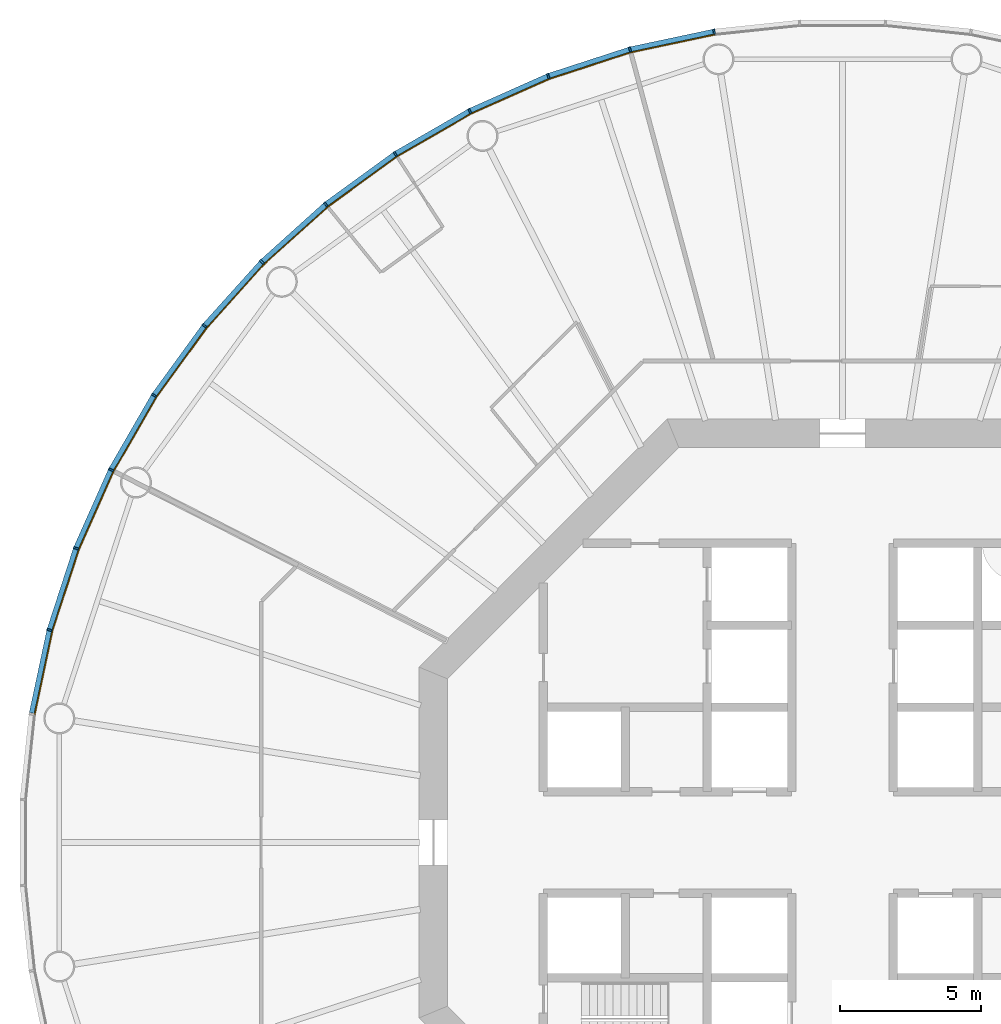
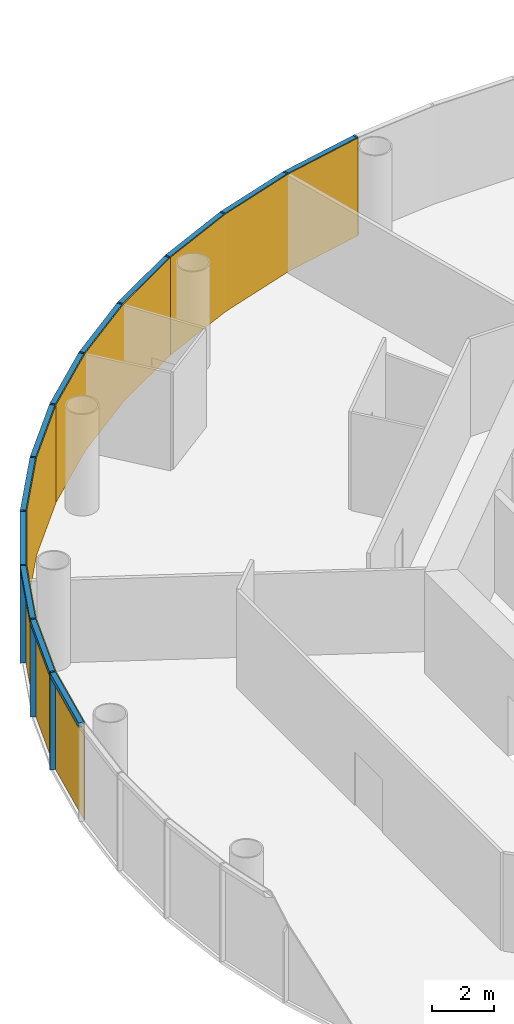
# One storey, part 9 of 12: 24 members, 4 curtain walls.
"""IFC4 building model written with IfcOpenShell, lengths in metres."""

from ifc_helpers import new_model, si_unit, direction, frame, origin, origin_2d, place, context, subcontext, project, spatial, polyline, rectangle, outline, extrude, material, layer, layer_set, material_profile, profile_set, type_object, element, aggregate, save


model = new_model("IFC4")

# Units and contexts
model_context = context("Model", 3, precision=1e-05, world=origin(), true_north=direction((0.0, 1.0)))
body_context = subcontext(model_context, "Body", "Model", "MODEL_VIEW")
ifc_project = project(units=[si_unit("LENGTHUNIT", "METRE"), si_unit("AREAUNIT", "SQUARE_METRE"), si_unit("VOLUMEUNIT", "CUBIC_METRE"), si_unit("PLANEANGLEUNIT", "RADIAN"), si_unit("MASSUNIT", "GRAM", prefix="KILO")], contexts=[model_context])

# Member
ifc_material_1 = material(Name="Anodised aluminium", Category="aluminium")
ifc_material_profile_1 = material_profile(ifc_material_1, rectangle(XDim=0.06494140625, YDim=0.18505859375, at=origin_2d()), Name="Mullion 65 x 185 mm anodised aluminium")
ifc_profile_set_1 = profile_set([ifc_material_profile_1], Name="Anodised aluminium")
member_type_1 = type_object("IfcMemberType", Name="Mullion 65 x 185 mm anodised aluminium", PredefinedType="MULLION", material=ifc_profile_set_1)
site_placement = place(None, origin())
building_placement = place(site_placement, origin())
storey_placement = place(building_placement, frame((0.0, 0.0, 192.0)))
member_1_placement = place(storey_placement, frame((85.448974609375, 108.734375, 0.0), z_axis=(0.0, 0.0, 1.0), x_axis=(-0.987688340595, -0.15643446504, 0.0)))
member_1 = element("IfcMember", 1, at=member_1_placement, type_object=member_type_1, Name="MULLION L44-15", PredefinedType="MULLION", context=body_context, shape_type="SweptSolid", body=[
    extrude(rectangle(XDim=0.06494140625, YDim=0.18505859375, at=origin_2d()), origin(), (0.0, 0.0, 1.0), 3.85009765625),
])

member_2_placement = place(storey_placement, frame((82.47021484375, 108.101318359375, 0.0), z_axis=(0.0, 0.0, 1.0), x_axis=(-0.965925826289, -0.258819045103, 0.0)))
member_2 = element("IfcMember", 2, at=member_2_placement, type_object=member_type_1, Name="MULLION L44-16", PredefinedType="MULLION", context=body_context, shape_type="SweptSolid", body=[
    extrude(rectangle(XDim=0.06494140625, YDim=0.18505859375, at=origin_2d()), origin(), (0.0, 0.0, 1.0), 3.85009765625),
])

member_3_placement = place(storey_placement, frame((79.57421875, 107.16015625, 0.0), z_axis=(0.0, 0.0, 1.0), x_axis=(-0.933580426497, -0.358367949545, 0.0)))
member_3 = element("IfcMember", 3, at=member_3_placement, type_object=member_type_1, Name="MULLION L44-17", PredefinedType="MULLION", context=body_context, shape_type="SweptSolid", body=[
    extrude(rectangle(XDim=0.06494140625, YDim=0.18505859375, at=origin_2d()), origin(), (0.0, 0.0, 1.0), 3.85009765625),
])

member_4_placement = place(storey_placement, frame((76.792236328125, 105.921630859375, 0.0), z_axis=(0.0, 0.0, 1.0), x_axis=(-0.891006524188, -0.45399049974, 0.0)))
member_4 = element("IfcMember", 4, at=member_4_placement, type_object=member_type_1, Name="MULLION L44-18", PredefinedType="MULLION", context=body_context, shape_type="SweptSolid", body=[
    extrude(rectangle(XDim=0.06494140625, YDim=0.18505859375, at=origin_2d()), origin(), (0.0, 0.0, 1.0), 3.85009765625),
])

member_5_placement = place(storey_placement, frame((74.155029296875, 104.39892578125, 0.0), z_axis=(0.0, 0.0, 1.0), x_axis=(-0.838670567945, -0.544639035015, 0.0)))
member_5 = element("IfcMember", 5, at=member_5_placement, type_object=member_type_1, Name="MULLION L44-19", PredefinedType="MULLION", context=body_context, shape_type="SweptSolid", body=[
    extrude(rectangle(XDim=0.06494140625, YDim=0.18505859375, at=origin_2d()), origin(), (0.0, 0.0, 1.0), 3.85009765625),
])

member_6_placement = place(storey_placement, frame((71.69140625, 102.609130859375, 0.0), z_axis=(0.0, 0.0, 1.0), x_axis=(-0.777145961457, -0.62932039105, 0.0)))
member_6 = element("IfcMember", 6, at=member_6_placement, type_object=member_type_1, Name="MULLION L44-20", PredefinedType="MULLION", context=body_context, shape_type="SweptSolid", body=[
    extrude(rectangle(XDim=0.06494140625, YDim=0.18505859375, at=origin_2d()), origin(), (0.0, 0.0, 1.0), 3.85009765625),
])

member_7_placement = place(storey_placement, frame((69.428466796875, 100.571533203125, 0.0), z_axis=(0.0, 0.0, 1.0), x_axis=(-0.707106781187, -0.707106781187, 0.0)))
member_7 = element("IfcMember", 7, at=member_7_placement, type_object=member_type_1, Name="MULLION L44-21", PredefinedType="MULLION", context=body_context, shape_type="SweptSolid", body=[
    extrude(rectangle(XDim=0.06494140625, YDim=0.18505859375, at=origin_2d()), origin(), (0.0, 0.0, 1.0), 3.85009765625),
])

member_8_placement = place(storey_placement, frame((67.390869140625, 98.30859375, 0.0), z_axis=(0.0, 0.0, 1.0), x_axis=(-0.62932039105, -0.777145961457, 0.0)))
member_8 = element("IfcMember", 8, at=member_8_placement, type_object=member_type_1, Name="MULLION L44-22", PredefinedType="MULLION", context=body_context, shape_type="SweptSolid", body=[
    extrude(rectangle(XDim=0.06494140625, YDim=0.18505859375, at=origin_2d()), origin(), (0.0, 0.0, 1.0), 3.85009765625),
])

member_9_placement = place(storey_placement, frame((65.60107421875, 95.844970703125, 0.0), z_axis=(0.0, 0.0, 1.0), x_axis=(-0.544639035015, -0.838670567945, 0.0)))
member_9 = element("IfcMember", 9, at=member_9_placement, type_object=member_type_1, Name="MULLION L44-23", PredefinedType="MULLION", context=body_context, shape_type="SweptSolid", body=[
    extrude(rectangle(XDim=0.06494140625, YDim=0.18505859375, at=origin_2d()), origin(), (0.0, 0.0, 1.0), 3.85009765625),
])

member_10_placement = place(storey_placement, frame((64.078369140625, 93.207763671875, 0.0), z_axis=(0.0, 0.0, 1.0), x_axis=(-0.45399049974, -0.891006524188, 0.0)))
member_10 = element("IfcMember", 10, at=member_10_placement, type_object=member_type_1, Name="MULLION L44-24", PredefinedType="MULLION", context=body_context, shape_type="SweptSolid", body=[
    extrude(rectangle(XDim=0.06494140625, YDim=0.18505859375, at=origin_2d()), origin(), (0.0, 0.0, 1.0), 3.85009765625),
])

member_11_placement = place(storey_placement, frame((62.83984375, 90.42578125, 0.0), z_axis=(0.0, 0.0, 1.0), x_axis=(-0.358367949545, -0.933580426497, 0.0)))
member_11 = element("IfcMember", 11, at=member_11_placement, type_object=member_type_1, Name="MULLION L44-25", PredefinedType="MULLION", context=body_context, shape_type="SweptSolid", body=[
    extrude(rectangle(XDim=0.06494140625, YDim=0.18505859375, at=origin_2d()), origin(), (0.0, 0.0, 1.0), 3.85009765625),
])

member_12_placement = place(storey_placement, frame((61.898681640625, 87.52978515625, 0.0), z_axis=(0.0, 0.0, 1.0), x_axis=(-0.258819045103, -0.965925826289, 0.0)))
member_12 = element("IfcMember", 12, at=member_12_placement, type_object=member_type_1, Name="MULLION L44-26", PredefinedType="MULLION", context=body_context, shape_type="SweptSolid", body=[
    extrude(rectangle(XDim=0.06494140625, YDim=0.18505859375, at=origin_2d()), origin(), (0.0, 0.0, 1.0), 3.85009765625),
])

ifc_material_2 = material(Name="Anodised aluminium", Category="aluminium")
ifc_material_profile_2 = material_profile(ifc_material_2, rectangle(XDim=0.18505859375, YDim=0.175048828125, at=origin_2d()), Name="Transom 175 x 185 mm anodised aluminium")
ifc_profile_set_2 = profile_set([ifc_material_profile_2], Name="Anodised aluminium")
member_type_2 = type_object("IfcMemberType", Name="Transom 175 x 185 mm anodised aluminium", PredefinedType="USERDEFINED", material=ifc_profile_set_2)
member_13_placement = place(storey_placement, frame((85.412353515625, 108.7265625, 3.762451171875), z_axis=(-0.97815822425, -0.207861704825, 0.0), x_axis=(0.207861704825, -0.97815822425, 0.0)))
member_13 = element("IfcMember", 13, at=member_13_placement, type_object=member_type_2, Name="TRANSOM L44-15", ObjectType="TRANSOM", PredefinedType="USERDEFINED", context=body_context, shape_type="SweptSolid", body=[
    extrude(rectangle(XDim=0.18505859375, YDim=0.175048828125, at=origin_2d()), origin(), (0.0, 0.0, 1.0), 2.970458984375),
])

member_14_placement = place(storey_placement, frame((82.434814453125, 108.08984375, 3.762451171875), z_axis=(-0.951055809184, -0.30901917063, 0.0), x_axis=(0.30901917063, -0.951055809184, 0.0)))
member_14 = element("IfcMember", 14, at=member_14_placement, type_object=member_type_2, Name="TRANSOM L44-16", ObjectType="TRANSOM", PredefinedType="USERDEFINED", context=body_context, shape_type="SweptSolid", body=[
    extrude(rectangle(XDim=0.18505859375, YDim=0.175048828125, at=origin_2d()), origin(), (0.0, 0.0, 1.0), 2.970703125),
])

member_15_placement = place(storey_placement, frame((79.5400390625, 107.14501953125, 3.762451171875), z_axis=(-0.913567348806, -0.406687471156, 0.0), x_axis=(0.406687471156, -0.913567348806, 0.0)))
member_15 = element("IfcMember", 15, at=member_15_placement, type_object=member_type_2, Name="TRANSOM L44-17", ObjectType="TRANSOM", PredefinedType="USERDEFINED", context=body_context, shape_type="SweptSolid", body=[
    extrude(rectangle(XDim=0.18505859375, YDim=0.175048828125, at=origin_2d()), origin(), (0.0, 0.0, 1.0), 2.970458984375),
])

member_16_placement = place(storey_placement, frame((76.759765625, 105.903076171875, 3.762451171875), z_axis=(-0.866009025146, -0.500028367561, 0.0), x_axis=(0.500028367561, -0.866009025146, 0.0)))
member_16 = element("IfcMember", 16, at=member_16_placement, type_object=member_type_2, Name="TRANSOM L44-18", ObjectType="TRANSOM", PredefinedType="USERDEFINED", context=body_context, shape_type="SweptSolid", body=[
    extrude(rectangle(XDim=0.18505859375, YDim=0.175048828125, at=origin_2d()), origin(), (0.0, 0.0, 1.0), 2.970458984375),
])

member_17_placement = place(storey_placement, frame((74.124755859375, 104.377197265625, 3.762451171875), z_axis=(-0.808991906087, -0.587819781808, 0.0), x_axis=(0.587819781808, -0.808991906087, 0.0)))
member_17 = element("IfcMember", 17, at=member_17_placement, type_object=member_type_2, Name="TRANSOM L44-19", ObjectType="TRANSOM", PredefinedType="USERDEFINED", context=body_context, shape_type="SweptSolid", body=[
    extrude(rectangle(XDim=0.18505859375, YDim=0.175048828125, at=origin_2d()), origin(), (0.0, 0.0, 1.0), 2.970458984375),
])

member_18_placement = place(storey_placement, frame((71.66357421875, 102.584228515625, 3.762451171875), z_axis=(-0.743163354343, -0.669110027395, 0.0), x_axis=(0.669110027395, -0.743163354343, 0.0)))
member_18 = element("IfcMember", 18, at=member_18_placement, type_object=member_type_2, Name="TRANSOM L44-20", ObjectType="TRANSOM", PredefinedType="USERDEFINED", context=body_context, shape_type="SweptSolid", body=[
    extrude(rectangle(XDim=0.18505859375, YDim=0.175048828125, at=origin_2d()), origin(), (0.0, 0.0, 1.0), 2.970458984375),
])

member_19_placement = place(storey_placement, frame((69.4033203125, 100.5439453125, 3.762451171875), z_axis=(-0.669110027395, -0.743163354343, 0.0), x_axis=(0.743163354343, -0.669110027395, 0.0)))
member_19 = element("IfcMember", 19, at=member_19_placement, type_object=member_type_2, Name="TRANSOM L44-21", ObjectType="TRANSOM", PredefinedType="USERDEFINED", context=body_context, shape_type="SweptSolid", body=[
    extrude(rectangle(XDim=0.18505859375, YDim=0.175048828125, at=origin_2d()), origin(), (0.0, 0.0, 1.0), 2.970458984375),
])

member_20_placement = place(storey_placement, frame((67.368896484375, 98.2783203125, 3.762451171875), z_axis=(-0.587819781808, -0.808991906087, 0.0), x_axis=(0.808991906087, -0.587819781808, 0.0)))
member_20 = element("IfcMember", 20, at=member_20_placement, type_object=member_type_2, Name="TRANSOM L44-22", ObjectType="TRANSOM", PredefinedType="USERDEFINED", context=body_context, shape_type="SweptSolid", body=[
    extrude(rectangle(XDim=0.18505859375, YDim=0.175048828125, at=origin_2d()), origin(), (0.0, 0.0, 1.0), 2.970458984375),
])

member_21_placement = place(storey_placement, frame((65.582275390625, 95.812744140625, 3.762451171875), z_axis=(-0.500028367561, -0.866009025146, 0.0), x_axis=(0.866009025146, -0.500028367561, 0.0)))
member_21 = element("IfcMember", 21, at=member_21_placement, type_object=member_type_2, Name="TRANSOM L44-23", ObjectType="TRANSOM", PredefinedType="USERDEFINED", context=body_context, shape_type="SweptSolid", body=[
    extrude(rectangle(XDim=0.18505859375, YDim=0.175048828125, at=origin_2d()), origin(), (0.0, 0.0, 1.0), 2.970458984375),
])

member_22_placement = place(storey_placement, frame((64.06298828125, 93.173583984375, 3.762451171875), z_axis=(-0.406687471156, -0.913567348806, 0.0), x_axis=(0.913567348806, -0.406687471156, 0.0)))
member_22 = element("IfcMember", 22, at=member_22_placement, type_object=member_type_2, Name="TRANSOM L44-24", ObjectType="TRANSOM", PredefinedType="USERDEFINED", context=body_context, shape_type="SweptSolid", body=[
    extrude(rectangle(XDim=0.18505859375, YDim=0.175048828125, at=origin_2d()), origin(), (0.0, 0.0, 1.0), 2.970458984375),
])

member_23_placement = place(storey_placement, frame((62.828125, 90.390380859375, 3.762451171875), z_axis=(-0.30901917063, -0.951055809184, 0.0), x_axis=(0.951055809184, -0.30901917063, 0.0)))
member_23 = element("IfcMember", 23, at=member_23_placement, type_object=member_type_2, Name="TRANSOM L44-25", ObjectType="TRANSOM", PredefinedType="USERDEFINED", context=body_context, shape_type="SweptSolid", body=[
    extrude(rectangle(XDim=0.18505859375, YDim=0.175048828125, at=origin_2d()), origin(), (0.0, 0.0, 1.0), 2.970703125),
])

member_24_placement = place(storey_placement, frame((61.890869140625, 87.4931640625, 3.762451171875), z_axis=(-0.207861704825, -0.97815822425, 0.0), x_axis=(0.97815822425, -0.207861704825, 0.0)))
member_24 = element("IfcMember", 24, at=member_24_placement, type_object=member_type_2, Name="TRANSOM L44-26", ObjectType="TRANSOM", PredefinedType="USERDEFINED", context=body_context, shape_type="SweptSolid", body=[
    extrude(rectangle(XDim=0.18505859375, YDim=0.175048828125, at=origin_2d()), origin(), (0.0, 0.0, 1.0), 2.970458984375),
])

# Site, building, storey
site = spatial("IfcSite", under=ifc_project, at=site_placement, CompositionType="ELEMENT")
building = spatial("IfcBuilding", under=site, at=building_placement, Name="Entoto Ring Tower", CompositionType="ELEMENT")
storey = spatial("IfcBuildingStorey", under=building, at=storey_placement, Name="L44", CompositionType="ELEMENT", Elevation=192.0)

# Curtain wall
ifc_material_3 = material(Name="Clear low-iron glass", Category="glass")
ifc_layer = layer(ifc_material_3, 0.033935546875)
ifc_layer_set = layer_set([ifc_layer], Name="Clear low-iron glass")
curtain_wall_type = type_object("IfcCurtainWallType", Name="Curtain wall system CW3 glazing 34 mm", PredefinedType="NOTDEFINED", material=ifc_layer_set)
curtain_wall_1_placement = place(storey_placement, origin())
curtain_wall_1 = element("IfcCurtainWall", 25, at=curtain_wall_1_placement, inside=storey, type_object=curtain_wall_type, Name="CW3 L44-06", PredefinedType="NOTDEFINED", context=body_context, shape_type="SweptSolid", body=[
    extrude(outline(polyline([(85.46337890625, 108.64306640625), (82.494140625, 108.011962890625), (79.607421875, 107.07373046875), (76.834228515625, 105.839111328125), (76.849853515625, 105.808837890625), (79.61962890625, 107.0419921875), (82.503173828125, 107.97900390625), (85.46875, 108.609375), (85.46337890625, 108.64306640625)])), origin(), (0.0, 0.0, 1.0), 3.85009765625),
])

aggregate(curtain_wall_1, [member_1, member_2, member_3, member_13, member_14, member_15])

curtain_wall_2_placement = place(storey_placement, origin())
curtain_wall_2 = element("IfcCurtainWall", 26, at=curtain_wall_2_placement, inside=storey, type_object=curtain_wall_type, Name="CW3 L44-07", PredefinedType="NOTDEFINED", context=body_context, shape_type="SweptSolid", body=[
    extrude(outline(polyline([(76.834228515625, 105.839111328125), (74.20556640625, 104.321533203125), (71.749755859375, 102.537353515625), (69.493896484375, 100.506103515625), (69.51806640625, 100.48193359375), (71.771240234375, 102.5107421875), (74.22412109375, 104.29296875), (76.849853515625, 105.808837890625), (76.834228515625, 105.839111328125)])), origin(), (0.0, 0.0, 1.0), 3.85009765625),
])

aggregate(curtain_wall_2, [member_4, member_5, member_6, member_16, member_17, member_18])

curtain_wall_3_placement = place(storey_placement, origin())
curtain_wall_3 = element("IfcCurtainWall", 27, at=curtain_wall_3_placement, inside=storey, type_object=curtain_wall_type, Name="CW3 L44-08", PredefinedType="NOTDEFINED", context=body_context, shape_type="SweptSolid", body=[
    extrude(outline(polyline([(69.493896484375, 100.506103515625), (67.462646484375, 98.250244140625), (65.678466796875, 95.79443359375), (64.160888671875, 93.165771484375), (64.191162109375, 93.150146484375), (65.70703125, 95.77587890625), (67.4892578125, 98.228759765625), (69.51806640625, 100.48193359375), (69.493896484375, 100.506103515625)])), origin(), (0.0, 0.0, 1.0), 3.85009765625),
])

aggregate(curtain_wall_3, [member_7, member_8, member_9, member_19, member_20, member_21])

curtain_wall_4_placement = place(storey_placement, origin())
curtain_wall_4 = element("IfcCurtainWall", 28, at=curtain_wall_4_placement, inside=storey, type_object=curtain_wall_type, Name="CW3 L44-09", PredefinedType="NOTDEFINED", context=body_context, shape_type="SweptSolid", body=[
    extrude(outline(polyline([(64.160888671875, 93.165771484375), (62.92626953125, 90.392578125), (61.988037109375, 87.505859375), (61.35693359375, 84.53662109375), (61.390625, 84.53125), (62.02099609375, 87.496826171875), (62.9580078125, 90.38037109375), (64.191162109375, 93.150146484375), (64.160888671875, 93.165771484375)])), origin(), (0.0, 0.0, 1.0), 3.85009765625),
])

aggregate(curtain_wall_4, [member_10, member_11, member_12, member_22, member_23, member_24])

save(model, "model.ifc")
